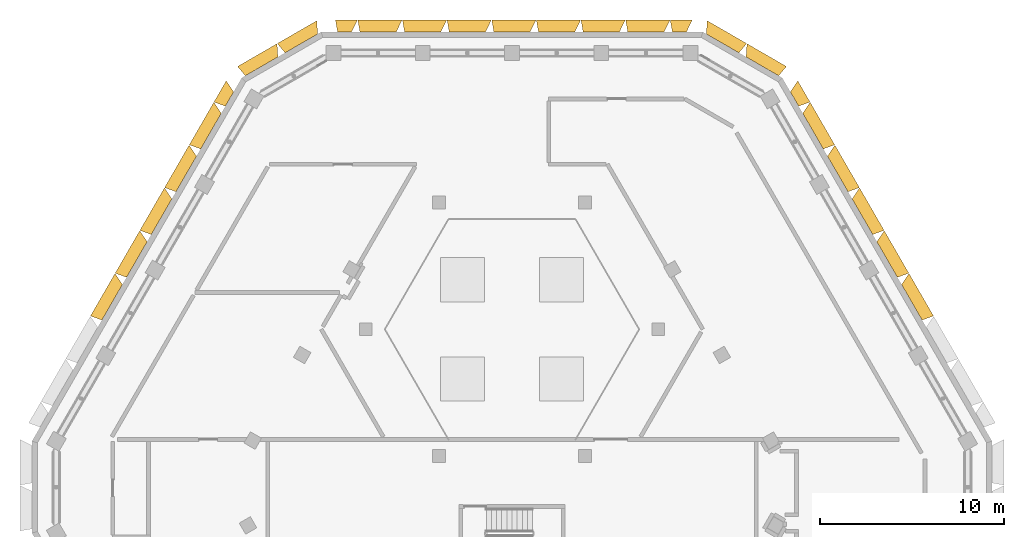
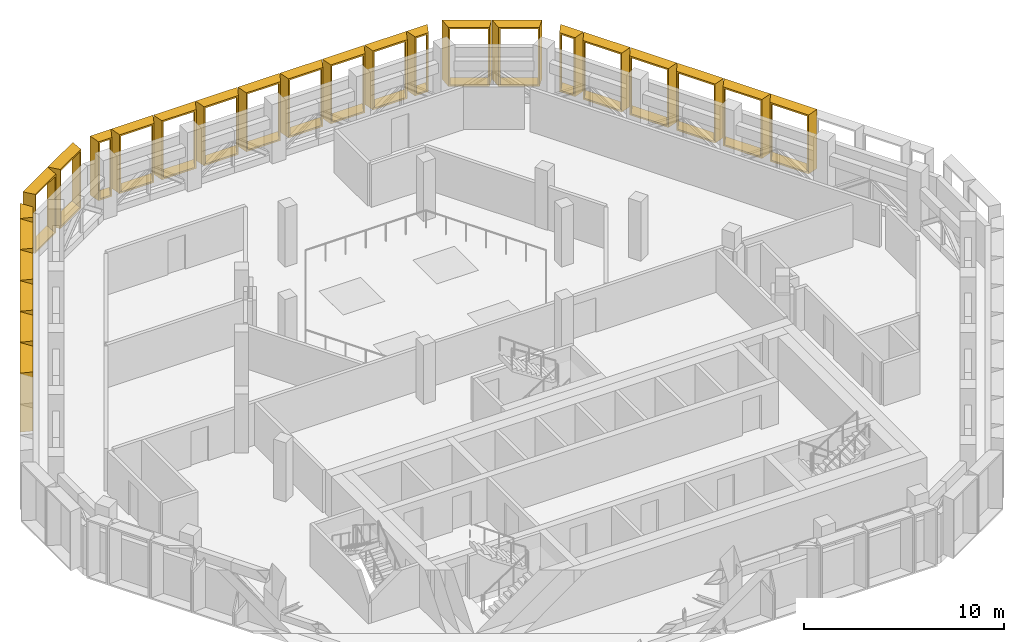
# One storey, part 24 of 24: 25 shading devices.
"""IFC4 building model written with IfcOpenShell, lengths in metres."""

from ifc_helpers import new_model, entity, si_unit, direction, frame, origin, place, context, subcontext, project, spatial, source, transform, mapped, material, type_object, type_shapes, element, save


model = new_model("IFC4")

# Units and contexts
model_context = context("Model", 3, precision=1e-05, world=origin(), true_north=direction((0.0, 1.0)))
body_context = subcontext(model_context, "Body", "Model", "MODEL_VIEW")
ifc_project = project(units=[si_unit("LENGTHUNIT", "METRE"), si_unit("AREAUNIT", "SQUARE_METRE"), si_unit("VOLUMEUNIT", "CUBIC_METRE"), si_unit("PLANEANGLEUNIT", "RADIAN"), si_unit("MASSUNIT", "GRAM", prefix="KILO")], contexts=[model_context])

# Site, building, storey
site_placement = place(None, origin())
site = spatial("IfcSite", under=ifc_project, at=site_placement, CompositionType="ELEMENT")
building_placement = place(site_placement, origin())
building = spatial("IfcBuilding", under=site, at=building_placement, Name="Beryl Residences", CompositionType="ELEMENT")
storey_placement = place(building_placement, frame((0.0, 0.0, 199.199951171875)))
storey = spatial("IfcBuildingStorey", under=building, at=storey_placement, Name="L61", CompositionType="ELEMENT", Elevation=199.199951171875)

# Shading devices
ifc_material_1 = material(Name="Aluminium pale anodised", Category="aluminium")
shading_device_type_1 = type_object("IfcShadingDeviceType", Name="FR122-65B-H36 OUTER SKIN frame 650 mm deep, splay 26/10 deg, 1220 x 3600 mm cell", PredefinedType="USERDEFINED", material=ifc_material_1)
cartesian_point_1 = entity("IfcCartesianPoint", [-0.384033203125, 0.0])
cartesian_point_2 = entity("IfcCartesianPoint", [-0.294921875, 0.10009765625])
cartesian_point_3 = entity("IfcCartesianPoint", [-0.700927734375, 0.0])
cartesian_point_4 = entity("IfcCartesianPoint", [-0.612060546875, 0.10009765625])
shared_shape_1 = source(origin(), body_context, "Body", "SweptSolid", [
    entity("IfcExtrudedAreaSolidTapered", entity("IfcArbitraryProfileDefWithVoids", "AREA", None, entity("IfcPolyline", [cartesian_point_1, entity("IfcCartesianPoint", [0.384033203125, 0.0]), entity("IfcCartesianPoint", [0.384033203125, 3.60009765625]), entity("IfcCartesianPoint", [-0.384033203125, 3.60009765625]), cartesian_point_1]), [entity("IfcPolyline", [cartesian_point_2, entity("IfcCartesianPoint", [0.302734375, 0.10009765625]), entity("IfcCartesianPoint", [0.302734375, 3.5]), entity("IfcCartesianPoint", [-0.294921875, 3.5]), cartesian_point_2])]), entity("IfcAxis2Placement3D", entity("IfcCartesianPoint", [0.0, 0.0, 0.0]), entity("IfcDirection", [0.0, 1.0, 0.0]), entity("IfcDirection", [-1.0, 0.0, 0.0])), entity("IfcDirection", [0.0, 0.0, 1.0]), 0.64990234375, entity("IfcArbitraryProfileDefWithVoids", "AREA", None, entity("IfcPolyline", [cartesian_point_3, entity("IfcCartesianPoint", [0.49853515625, 0.0]), entity("IfcCartesianPoint", [0.49853515625, 3.60009765625]), entity("IfcCartesianPoint", [-0.700927734375, 3.60009765625]), cartesian_point_3]), [entity("IfcPolyline", [cartesian_point_4, entity("IfcCartesianPoint", [0.41748046875, 0.10009765625]), entity("IfcCartesianPoint", [0.41748046875, 3.5]), entity("IfcCartesianPoint", [-0.612060546875, 3.5]), cartesian_point_4])])),
])
type_shapes(shading_device_type_1, [shared_shape_1])
for number, where, z_axis, x_axis, name in (
    (1, (9.1201171875, 24.199951171875, 0.0), (0.0, 0.0, 1.0), (1.0, 0.0, 0.0), "FR122-65B-H36 frame L61 N 1"),
    (2, (-9.1201171875, 24.199951171875, 0.0), (0.0, 0.0, 1.0), (1.0, 0.0, 0.0), "FR122-65B-H36 frame L61 N 9"),
):
    element("IfcShadingDevice", number, at=place(storey_placement, frame(where, z_axis=z_axis, x_axis=x_axis)), inside=storey, type_object=shading_device_type_1, Name=name, ObjectType="OUTER SKIN", PredefinedType="USERDEFINED", context=body_context, shape_type="MappedRepresentation", body=[
        mapped(shared_shape_1, transform((0.0, 0.0, 0.0))),
    ])
ifc_material_2 = material(Name="Aluminium pale anodised", Category="aluminium")
shading_device_type_2 = type_object("IfcShadingDeviceType", Name="FR135-65B-H36 OUTER SKIN frame 650 mm deep, splay 26/10 deg, 1350 x 3600 mm cell", PredefinedType="USERDEFINED", material=ifc_material_2)
cartesian_point_5 = entity("IfcCartesianPoint", [-0.448974609375, 0.0])
cartesian_point_6 = entity("IfcCartesianPoint", [-0.360107421875, 0.10009765625])
cartesian_point_7 = entity("IfcCartesianPoint", [-0.76611328125, 0.0])
cartesian_point_8 = entity("IfcCartesianPoint", [-0.677001953125, 0.10009765625])
shared_shape_2 = source(origin(), body_context, "Body", "SweptSolid", [
    entity("IfcExtrudedAreaSolidTapered", entity("IfcArbitraryProfileDefWithVoids", "AREA", None, entity("IfcPolyline", [cartesian_point_5, entity("IfcCartesianPoint", [0.448974609375, 0.0]), entity("IfcCartesianPoint", [0.448974609375, 3.60009765625]), entity("IfcCartesianPoint", [-0.448974609375, 3.60009765625]), cartesian_point_5]), [entity("IfcPolyline", [cartesian_point_6, entity("IfcCartesianPoint", [0.36767578125, 0.10009765625]), entity("IfcCartesianPoint", [0.36767578125, 3.5]), entity("IfcCartesianPoint", [-0.360107421875, 3.5]), cartesian_point_6])]), entity("IfcAxis2Placement3D", entity("IfcCartesianPoint", [0.0, 0.0, 0.0]), entity("IfcDirection", [0.0, 1.0, 0.0]), entity("IfcDirection", [-1.0, 0.0, 0.0])), entity("IfcDirection", [0.0, 0.0, 1.0]), 0.64990234375, entity("IfcArbitraryProfileDefWithVoids", "AREA", None, entity("IfcPolyline", [cartesian_point_7, entity("IfcCartesianPoint", [0.563720703125, 0.0]), entity("IfcCartesianPoint", [0.563720703125, 3.60009765625]), entity("IfcCartesianPoint", [-0.76611328125, 3.60009765625]), cartesian_point_7]), [entity("IfcPolyline", [cartesian_point_8, entity("IfcCartesianPoint", [0.482421875, 0.10009765625]), entity("IfcCartesianPoint", [0.482421875, 3.5]), entity("IfcCartesianPoint", [-0.677001953125, 3.5]), cartesian_point_8])])),
])
type_shapes(shading_device_type_2, [shared_shape_2])
shading_device_1_placement = place(storey_placement, frame((-15.39111328125, 20.54296875, 0.0), z_axis=(0.0, 0.0, 1.0), x_axis=(0.5, 0.866025403784, 0.0)))
element("IfcShadingDevice", 3, at=shading_device_1_placement, inside=storey, type_object=shading_device_type_2, Name="FR135-65B-H36 frame L61 NW 1", ObjectType="OUTER SKIN", PredefinedType="USERDEFINED", context=body_context, shape_type="MappedRepresentation", body=[
    mapped(shared_shape_2, transform((0.0, 0.0, 0.0))),
])
ifc_material_3 = material(Name="Aluminium pale anodised", Category="aluminium")
shading_device_type_3 = type_object("IfcShadingDeviceType", Name="FR135-65C-H36 OUTER SKIN frame 650 mm deep, splay 10/26 deg, 1350 x 3600 mm cell", PredefinedType="USERDEFINED", material=ifc_material_3)
cartesian_point_9 = entity("IfcCartesianPoint", [-0.448974609375, 0.0])
cartesian_point_10 = entity("IfcCartesianPoint", [-0.36767578125, 0.10009765625])
cartesian_point_11 = entity("IfcCartesianPoint", [-0.563720703125, 0.0])
cartesian_point_12 = entity("IfcCartesianPoint", [-0.482421875, 0.10009765625])
shared_shape_3 = source(origin(), body_context, "Body", "SweptSolid", [
    entity("IfcExtrudedAreaSolidTapered", entity("IfcArbitraryProfileDefWithVoids", "AREA", None, entity("IfcPolyline", [cartesian_point_9, entity("IfcCartesianPoint", [0.448974609375, 0.0]), entity("IfcCartesianPoint", [0.448974609375, 3.60009765625]), entity("IfcCartesianPoint", [-0.448974609375, 3.60009765625]), cartesian_point_9]), [entity("IfcPolyline", [cartesian_point_10, entity("IfcCartesianPoint", [0.360107421875, 0.10009765625]), entity("IfcCartesianPoint", [0.360107421875, 3.5]), entity("IfcCartesianPoint", [-0.36767578125, 3.5]), cartesian_point_10])]), entity("IfcAxis2Placement3D", entity("IfcCartesianPoint", [0.0, 0.0, 0.0]), entity("IfcDirection", [0.0, 1.0, 0.0]), entity("IfcDirection", [-1.0, 0.0, 0.0])), entity("IfcDirection", [0.0, 0.0, 1.0]), 0.64990234375, entity("IfcArbitraryProfileDefWithVoids", "AREA", None, entity("IfcPolyline", [cartesian_point_11, entity("IfcCartesianPoint", [0.76611328125, 0.0]), entity("IfcCartesianPoint", [0.76611328125, 3.60009765625]), entity("IfcCartesianPoint", [-0.563720703125, 3.60009765625]), cartesian_point_11]), [entity("IfcPolyline", [cartesian_point_12, entity("IfcCartesianPoint", [0.677001953125, 0.10009765625]), entity("IfcCartesianPoint", [0.677001953125, 3.5]), entity("IfcCartesianPoint", [-0.482421875, 3.5]), cartesian_point_12])])),
])
type_shapes(shading_device_type_3, [shared_shape_3])
shading_device_2_placement = place(storey_placement, frame((15.39111328125, 20.54296875, 0.0), z_axis=(0.0, 0.0, 1.0), x_axis=(0.5, -0.866025403784, 0.0)))
element("IfcShadingDevice", 4, at=shading_device_2_placement, inside=storey, type_object=shading_device_type_3, Name="FR135-65C-H36 frame L61 NE 9", ObjectType="OUTER SKIN", PredefinedType="USERDEFINED", context=body_context, shape_type="MappedRepresentation", body=[
    mapped(shared_shape_3, transform((0.0, 0.0, 0.0))),
])
ifc_material_4 = material(Name="Aluminium pale anodised", Category="aluminium")
shading_device_type_4 = type_object("IfcShadingDeviceType", Name="FR243-65B-H36 OUTER SKIN frame 650 mm deep, splay 26/10 deg, 2430 x 3600 mm cell", PredefinedType="USERDEFINED", material=ifc_material_4)
cartesian_point_13 = entity("IfcCartesianPoint", [-0.989013671875, 0.0])
cartesian_point_14 = entity("IfcCartesianPoint", [-0.89990234375, 0.10009765625])
cartesian_point_15 = entity("IfcCartesianPoint", [-1.305908203125, 0.0])
cartesian_point_16 = entity("IfcCartesianPoint", [-1.217041015625, 0.10009765625])
shared_shape_4 = source(origin(), body_context, "Body", "SweptSolid", [
    entity("IfcExtrudedAreaSolidTapered", entity("IfcArbitraryProfileDefWithVoids", "AREA", None, entity("IfcPolyline", [cartesian_point_13, entity("IfcCartesianPoint", [0.989013671875, 0.0]), entity("IfcCartesianPoint", [0.989013671875, 3.60009765625]), entity("IfcCartesianPoint", [-0.989013671875, 3.60009765625]), cartesian_point_13]), [entity("IfcPolyline", [cartesian_point_14, entity("IfcCartesianPoint", [0.90771484375, 0.10009765625]), entity("IfcCartesianPoint", [0.90771484375, 3.5]), entity("IfcCartesianPoint", [-0.89990234375, 3.5]), cartesian_point_14])]), entity("IfcAxis2Placement3D", entity("IfcCartesianPoint", [0.0, 0.0, 0.0]), entity("IfcDirection", [0.0, 1.0, 0.0]), entity("IfcDirection", [-1.0, 0.0, 0.0])), entity("IfcDirection", [0.0, 0.0, 1.0]), 0.64990234375, entity("IfcArbitraryProfileDefWithVoids", "AREA", None, entity("IfcPolyline", [cartesian_point_15, entity("IfcCartesianPoint", [1.103515625, 0.0]), entity("IfcCartesianPoint", [1.103515625, 3.60009765625]), entity("IfcCartesianPoint", [-1.305908203125, 3.60009765625]), cartesian_point_15]), [entity("IfcPolyline", [cartesian_point_16, entity("IfcCartesianPoint", [1.0224609375, 0.10009765625]), entity("IfcCartesianPoint", [1.0224609375, 3.5]), entity("IfcCartesianPoint", [-1.217041015625, 3.5]), cartesian_point_16])])),
])
type_shapes(shading_device_type_4, [shared_shape_4])
for number, where, z_axis, x_axis, name in (
    (5, (7.2958984375, 24.199951171875, 0.0), (0.0, 0.0, 1.0), (1.0, 0.0, 0.0), "FR243-65B-H36 frame L61 N 2"),
    (6, (4.864013671875, 24.199951171875, 0.0), (0.0, 0.0, 1.0), (1.0, 0.0, 0.0), "FR243-65B-H36 frame L61 N 3"),
    (7, (2.431884765625, 24.199951171875, 0.0), (0.0, 0.0, 1.0), (1.0, 0.0, 0.0), "FR243-65B-H36 frame L61 N 4"),
    (8, (0.0, 24.199951171875, 0.0), (0.0, 0.0, 1.0), (1.0, 0.0, 0.0), "FR243-65B-H36 frame L61 N 5"),
    (9, (-2.431884765625, 24.199951171875, 0.0), (0.0, 0.0, 1.0), (1.0, 0.0, 0.0), "FR243-65B-H36 frame L61 N 6"),
    (10, (-4.864013671875, 24.199951171875, 0.0), (0.0, 0.0, 1.0), (1.0, 0.0, 0.0), "FR243-65B-H36 frame L61 N 7"),
    (11, (-7.2958984375, 24.199951171875, 0.0), (0.0, 0.0, 1.0), (1.0, 0.0, 0.0), "FR243-65B-H36 frame L61 N 8"),
):
    element("IfcShadingDevice", number, at=place(storey_placement, frame(where, z_axis=z_axis, x_axis=x_axis)), inside=storey, type_object=shading_device_type_4, Name=name, ObjectType="OUTER SKIN", PredefinedType="USERDEFINED", context=body_context, shape_type="MappedRepresentation", body=[
        mapped(shared_shape_4, transform((0.0, 0.0, 0.0))),
    ])
ifc_material_5 = material(Name="Aluminium pale anodised", Category="aluminium")
shading_device_type_5 = type_object("IfcShadingDeviceType", Name="FR250-65B-H36 OUTER SKIN frame 650 mm deep, splay 26/10 deg, 2500 x 3600 mm cell", PredefinedType="USERDEFINED", material=ifc_material_5)
cartesian_point_17 = entity("IfcCartesianPoint", [-1.02392578125, 0.0])
cartesian_point_18 = entity("IfcCartesianPoint", [-0.93505859375, 0.10009765625])
cartesian_point_19 = entity("IfcCartesianPoint", [-1.341064453125, 0.0])
cartesian_point_20 = entity("IfcCartesianPoint", [-1.251953125, 0.10009765625])
shared_shape_5 = source(origin(), body_context, "Body", "SweptSolid", [
    entity("IfcExtrudedAreaSolidTapered", entity("IfcArbitraryProfileDefWithVoids", "AREA", None, entity("IfcPolyline", [cartesian_point_17, entity("IfcCartesianPoint", [1.02392578125, 0.0]), entity("IfcCartesianPoint", [1.02392578125, 3.60009765625]), entity("IfcCartesianPoint", [-1.02392578125, 3.60009765625]), cartesian_point_17]), [entity("IfcPolyline", [cartesian_point_18, entity("IfcCartesianPoint", [0.94287109375, 0.10009765625]), entity("IfcCartesianPoint", [0.94287109375, 3.5]), entity("IfcCartesianPoint", [-0.93505859375, 3.5]), cartesian_point_18])]), entity("IfcAxis2Placement3D", entity("IfcCartesianPoint", [0.0, 0.0, 0.0]), entity("IfcDirection", [0.0, 1.0, 0.0]), entity("IfcDirection", [-1.0, 0.0, 0.0])), entity("IfcDirection", [0.0, 0.0, 1.0]), 0.64990234375, entity("IfcArbitraryProfileDefWithVoids", "AREA", None, entity("IfcPolyline", [cartesian_point_19, entity("IfcCartesianPoint", [1.138671875, 0.0]), entity("IfcCartesianPoint", [1.138671875, 3.60009765625]), entity("IfcCartesianPoint", [-1.341064453125, 3.60009765625]), cartesian_point_19]), [entity("IfcPolyline", [cartesian_point_20, entity("IfcCartesianPoint", [1.057373046875, 0.10009765625]), entity("IfcCartesianPoint", [1.057373046875, 3.5]), entity("IfcCartesianPoint", [-1.251953125, 3.5]), cartesian_point_20])])),
])
type_shapes(shading_device_type_5, [shared_shape_5])
for number, where, z_axis, x_axis, name in (
    (12, (-11.47412109375, 23.574951171875, 0.0), (0.0, 0.0, 1.0), (0.866025403784, 0.5, 0.0), "FR250-65B-H36 frame L61 N-NW 1"),
    (13, (-13.638916015625, 22.324951171875, 0.0), (0.0, 0.0, 1.0), (0.866025403784, 0.5, 0.0), "FR250-65B-H36 frame L61 N-NW 2"),
):
    element("IfcShadingDevice", number, at=place(storey_placement, frame(where, z_axis=z_axis, x_axis=x_axis)), inside=storey, type_object=shading_device_type_5, Name=name, ObjectType="OUTER SKIN", PredefinedType="USERDEFINED", context=body_context, shape_type="MappedRepresentation", body=[
        mapped(shared_shape_5, transform((0.0, 0.0, 0.0))),
    ])
ifc_material_6 = material(Name="Aluminium pale anodised", Category="aluminium")
shading_device_type_6 = type_object("IfcShadingDeviceType", Name="FR250-65C-H36 OUTER SKIN frame 650 mm deep, splay 10/26 deg, 2500 x 3600 mm cell", PredefinedType="USERDEFINED", material=ifc_material_6)
cartesian_point_21 = entity("IfcCartesianPoint", [-1.02392578125, 0.0])
cartesian_point_22 = entity("IfcCartesianPoint", [-0.94287109375, 0.10009765625])
cartesian_point_23 = entity("IfcCartesianPoint", [-1.138671875, 0.0])
cartesian_point_24 = entity("IfcCartesianPoint", [-1.057373046875, 0.10009765625])
shared_shape_6 = source(origin(), body_context, "Body", "SweptSolid", [
    entity("IfcExtrudedAreaSolidTapered", entity("IfcArbitraryProfileDefWithVoids", "AREA", None, entity("IfcPolyline", [cartesian_point_21, entity("IfcCartesianPoint", [1.02392578125, 0.0]), entity("IfcCartesianPoint", [1.02392578125, 3.60009765625]), entity("IfcCartesianPoint", [-1.02392578125, 3.60009765625]), cartesian_point_21]), [entity("IfcPolyline", [cartesian_point_22, entity("IfcCartesianPoint", [0.93505859375, 0.10009765625]), entity("IfcCartesianPoint", [0.93505859375, 3.5]), entity("IfcCartesianPoint", [-0.94287109375, 3.5]), cartesian_point_22])]), entity("IfcAxis2Placement3D", entity("IfcCartesianPoint", [0.0, 0.0, 0.0]), entity("IfcDirection", [0.0, 1.0, 0.0]), entity("IfcDirection", [-1.0, 0.0, 0.0])), entity("IfcDirection", [0.0, 0.0, 1.0]), 0.64990234375, entity("IfcArbitraryProfileDefWithVoids", "AREA", None, entity("IfcPolyline", [cartesian_point_23, entity("IfcCartesianPoint", [1.341064453125, 0.0]), entity("IfcCartesianPoint", [1.341064453125, 3.60009765625]), entity("IfcCartesianPoint", [-1.138671875, 3.60009765625]), cartesian_point_23]), [entity("IfcPolyline", [cartesian_point_24, entity("IfcCartesianPoint", [1.251953125, 0.10009765625]), entity("IfcCartesianPoint", [1.251953125, 3.5]), entity("IfcCartesianPoint", [-1.057373046875, 3.5]), cartesian_point_24])])),
])
type_shapes(shading_device_type_6, [shared_shape_6])
for number, where, z_axis, x_axis, name in (
    (14, (13.638916015625, 22.324951171875, 0.0), (0.0, 0.0, 1.0), (0.866025403784, -0.5, 0.0), "FR250-65C-H36 frame L61 NE-N 1"),
    (15, (11.47412109375, 23.574951171875, 0.0), (0.0, 0.0, 1.0), (0.866025403784, -0.5, 0.0), "FR250-65C-H36 frame L61 NE-N 2"),
):
    element("IfcShadingDevice", number, at=place(storey_placement, frame(where, z_axis=z_axis, x_axis=x_axis)), inside=storey, type_object=shading_device_type_6, Name=name, ObjectType="OUTER SKIN", PredefinedType="USERDEFINED", context=body_context, shape_type="MappedRepresentation", body=[
        mapped(shared_shape_6, transform((0.0, 0.0, 0.0))),
    ])
ifc_material_7 = material(Name="Aluminium pale anodised", Category="aluminium")
shading_device_type_7 = type_object("IfcShadingDeviceType", Name="FR269-65B-H36 OUTER SKIN frame 650 mm deep, splay 26/10 deg, 2690 x 3600 mm cell", PredefinedType="USERDEFINED", material=ifc_material_7)
cartesian_point_25 = entity("IfcCartesianPoint", [-1.118896484375, 0.0])
cartesian_point_26 = entity("IfcCartesianPoint", [-1.030029296875, 0.10009765625])
cartesian_point_27 = entity("IfcCartesianPoint", [-1.43603515625, 0.0])
cartesian_point_28 = entity("IfcCartesianPoint", [-1.346923828125, 0.10009765625])
shared_shape_7 = source(origin(), body_context, "Body", "SweptSolid", [
    entity("IfcExtrudedAreaSolidTapered", entity("IfcArbitraryProfileDefWithVoids", "AREA", None, entity("IfcPolyline", [cartesian_point_25, entity("IfcCartesianPoint", [1.118896484375, 0.0]), entity("IfcCartesianPoint", [1.118896484375, 3.60009765625]), entity("IfcCartesianPoint", [-1.118896484375, 3.60009765625]), cartesian_point_25]), [entity("IfcPolyline", [cartesian_point_26, entity("IfcCartesianPoint", [1.037841796875, 0.10009765625]), entity("IfcCartesianPoint", [1.037841796875, 3.5]), entity("IfcCartesianPoint", [-1.030029296875, 3.5]), cartesian_point_26])]), entity("IfcAxis2Placement3D", entity("IfcCartesianPoint", [0.0, 0.0, 0.0]), entity("IfcDirection", [0.0, 1.0, 0.0]), entity("IfcDirection", [-1.0, 0.0, 0.0])), entity("IfcDirection", [0.0, 0.0, 1.0]), 0.64990234375, entity("IfcArbitraryProfileDefWithVoids", "AREA", None, entity("IfcPolyline", [cartesian_point_27, entity("IfcCartesianPoint", [1.233642578125, 0.0]), entity("IfcCartesianPoint", [1.233642578125, 3.60009765625]), entity("IfcCartesianPoint", [-1.43603515625, 3.60009765625]), cartesian_point_27]), [entity("IfcPolyline", [cartesian_point_28, entity("IfcCartesianPoint", [1.15234375, 0.10009765625]), entity("IfcCartesianPoint", [1.15234375, 3.5]), entity("IfcCartesianPoint", [-1.346923828125, 3.5]), cartesian_point_28])])),
])
type_shapes(shading_device_type_7, [shared_shape_7])
for number, where, z_axis, x_axis, name in (
    (16, (-16.39990234375, 18.7939453125, 0.0), (0.0, 0.0, 1.0), (0.5, 0.866025403784, 0.0), "FR269-65B-H36 frame L61 NW 2"),
    (17, (-17.74609375, 16.462890625, 0.0), (0.0, 0.0, 1.0), (0.5, 0.866025403784, 0.0), "FR269-65B-H36 frame L61 NW 3"),
    (18, (-19.092041015625, 14.131103515625, 0.0), (0.0, 0.0, 1.0), (0.5, 0.866025403784, 0.0), "FR269-65B-H36 frame L61 NW 4"),
    (19, (-20.43798828125, 11.800048828125, 0.0), (0.0, 0.0, 1.0), (0.5, 0.866025403784, 0.0), "FR269-65B-H36 frame L61 NW 5"),
    (20, (-21.783935546875, 9.468994140625, 0.0), (0.0, 0.0, 1.0), (0.5, 0.866025403784, 0.0), "FR269-65B-H36 frame L61 NW 6"),
):
    element("IfcShadingDevice", number, at=place(storey_placement, frame(where, z_axis=z_axis, x_axis=x_axis)), inside=storey, type_object=shading_device_type_7, Name=name, ObjectType="OUTER SKIN", PredefinedType="USERDEFINED", context=body_context, shape_type="MappedRepresentation", body=[
        mapped(shared_shape_7, transform((0.0, 0.0, 0.0))),
    ])
ifc_material_8 = material(Name="Aluminium pale anodised", Category="aluminium")
shading_device_type_8 = type_object("IfcShadingDeviceType", Name="FR269-65C-H36 OUTER SKIN frame 650 mm deep, splay 10/26 deg, 2690 x 3600 mm cell", PredefinedType="USERDEFINED", material=ifc_material_8)
cartesian_point_29 = entity("IfcCartesianPoint", [-1.118896484375, 0.0])
cartesian_point_30 = entity("IfcCartesianPoint", [-1.037841796875, 0.10009765625])
cartesian_point_31 = entity("IfcCartesianPoint", [-1.233642578125, 0.0])
cartesian_point_32 = entity("IfcCartesianPoint", [-1.15234375, 0.10009765625])
shared_shape_8 = source(origin(), body_context, "Body", "SweptSolid", [
    entity("IfcExtrudedAreaSolidTapered", entity("IfcArbitraryProfileDefWithVoids", "AREA", None, entity("IfcPolyline", [cartesian_point_29, entity("IfcCartesianPoint", [1.118896484375, 0.0]), entity("IfcCartesianPoint", [1.118896484375, 3.60009765625]), entity("IfcCartesianPoint", [-1.118896484375, 3.60009765625]), cartesian_point_29]), [entity("IfcPolyline", [cartesian_point_30, entity("IfcCartesianPoint", [1.030029296875, 0.10009765625]), entity("IfcCartesianPoint", [1.030029296875, 3.5]), entity("IfcCartesianPoint", [-1.037841796875, 3.5]), cartesian_point_30])]), entity("IfcAxis2Placement3D", entity("IfcCartesianPoint", [0.0, 0.0, 0.0]), entity("IfcDirection", [0.0, 1.0, 0.0]), entity("IfcDirection", [-1.0, 0.0, 0.0])), entity("IfcDirection", [0.0, 0.0, 1.0]), 0.64990234375, entity("IfcArbitraryProfileDefWithVoids", "AREA", None, entity("IfcPolyline", [cartesian_point_31, entity("IfcCartesianPoint", [1.43603515625, 0.0]), entity("IfcCartesianPoint", [1.43603515625, 3.60009765625]), entity("IfcCartesianPoint", [-1.233642578125, 3.60009765625]), cartesian_point_31]), [entity("IfcPolyline", [cartesian_point_32, entity("IfcCartesianPoint", [1.346923828125, 0.10009765625]), entity("IfcCartesianPoint", [1.346923828125, 3.5]), entity("IfcCartesianPoint", [-1.15234375, 3.5]), cartesian_point_32])])),
])
type_shapes(shading_device_type_8, [shared_shape_8])
for number, where, z_axis, x_axis, name in (
    (21, (21.783935546875, 9.468994140625, 0.0), (0.0, 0.0, 1.0), (0.5, -0.866025403784, 0.0), "FR269-65C-H36 frame L61 NE 4"),
    (22, (20.43798828125, 11.800048828125, 0.0), (0.0, 0.0, 1.0), (0.5, -0.866025403784, 0.0), "FR269-65C-H36 frame L61 NE 5"),
    (23, (19.092041015625, 14.131103515625, 0.0), (0.0, 0.0, 1.0), (0.5, -0.866025403784, 0.0), "FR269-65C-H36 frame L61 NE 6"),
    (24, (17.74609375, 16.462890625, 0.0), (0.0, 0.0, 1.0), (0.5, -0.866025403784, 0.0), "FR269-65C-H36 frame L61 NE 7"),
    (25, (16.39990234375, 18.7939453125, 0.0), (0.0, 0.0, 1.0), (0.5, -0.866025403784, 0.0), "FR269-65C-H36 frame L61 NE 8"),
):
    element("IfcShadingDevice", number, at=place(storey_placement, frame(where, z_axis=z_axis, x_axis=x_axis)), inside=storey, type_object=shading_device_type_8, Name=name, ObjectType="OUTER SKIN", PredefinedType="USERDEFINED", context=body_context, shape_type="MappedRepresentation", body=[
        mapped(shared_shape_8, transform((0.0, 0.0, 0.0))),
    ])

save(model, "model.ifc")
